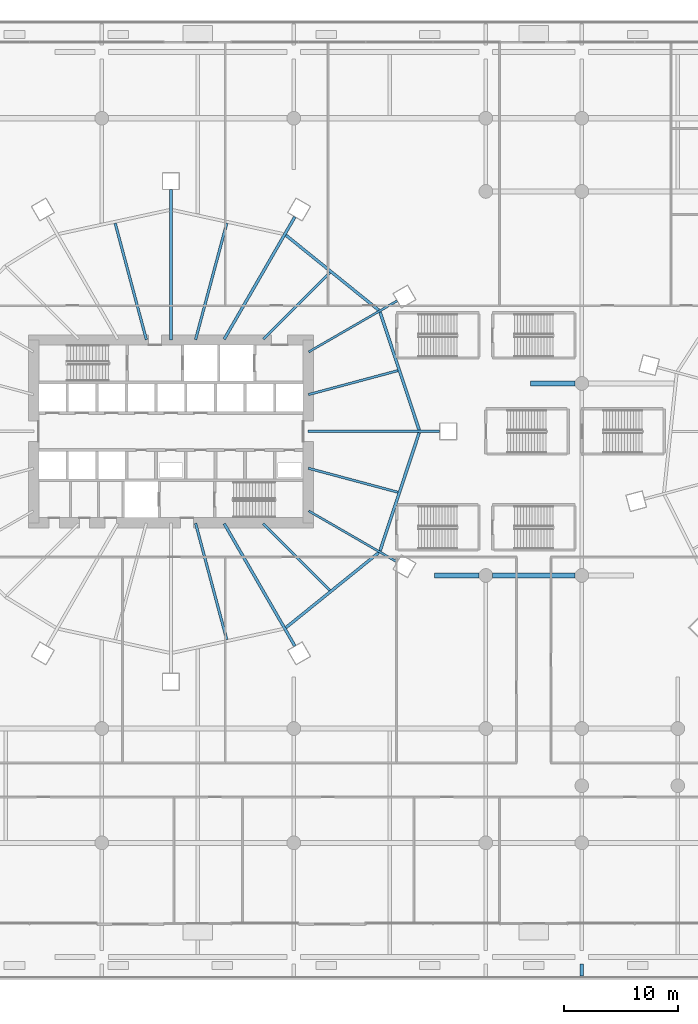
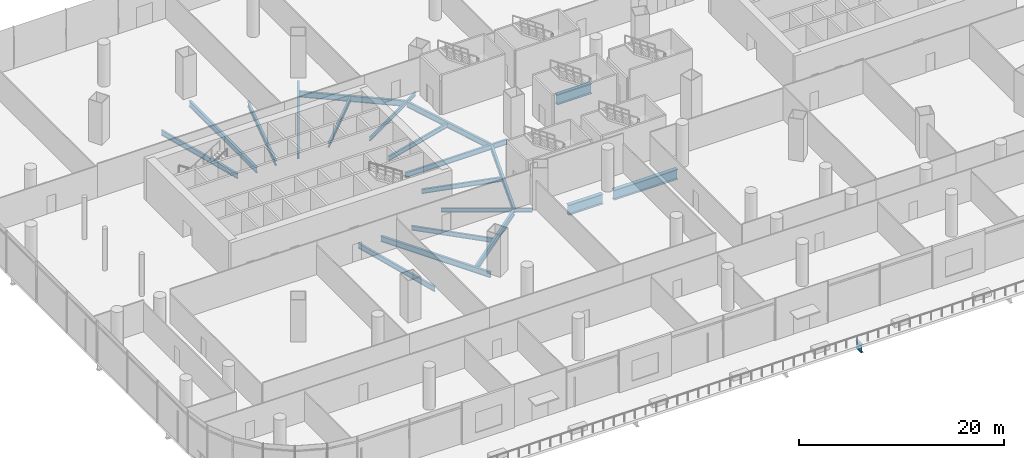
# One storey, part 12 of 51: 21 beams.
"""IFC4 building model written with IfcOpenShell, lengths in metres."""

from ifc_helpers import new_model, si_unit, direction, frame, origin, origin_2d, place, context, subcontext, project, spatial, i_section, extrude, material, material_profile, profile_set, type_object, element, save


model = new_model("IFC4")

# Units and contexts
model_context = context("Model", 3, precision=1e-05, world=origin(), true_north=direction((0.0, 1.0)))
body_context = subcontext(model_context, "Body", "Model", "MODEL_VIEW")
ifc_project = project(units=[si_unit("LENGTHUNIT", "METRE"), si_unit("AREAUNIT", "SQUARE_METRE"), si_unit("VOLUMEUNIT", "CUBIC_METRE"), si_unit("PLANEANGLEUNIT", "RADIAN"), si_unit("MASSUNIT", "GRAM", prefix="KILO")], contexts=[model_context])

# Site, building, storey
site_placement = place(None, origin())
site = spatial("IfcSite", under=ifc_project, at=site_placement, CompositionType="ELEMENT")
building_placement = place(site_placement, origin())
building = spatial("IfcBuilding", under=site, at=building_placement, Name="Rimbun Link Towers", CompositionType="ELEMENT")
storey_placement = place(building_placement, frame((0.0, 0.0, 7.0)))
storey = spatial("IfcBuildingStorey", under=building, at=storey_placement, Name="L01", CompositionType="ELEMENT", Elevation=7.0)

# Beams
ifc_material_1 = material(Name="Steel S355J2", Category="steel")
ifc_material_profile_1 = material_profile(ifc_material_1, i_section(OverallWidth=0.449951171875, OverallDepth=1.199951171875, WebThickness=0.030029296875, FlangeThickness=0.044921875, at=origin_2d()), Name="PG 1200x450x30/45")
ifc_profile_set_1 = profile_set([ifc_material_profile_1], Name="Steel S355J2")
beam_type_1 = type_object("IfcBeamType", Name="PG 1200x450x30/45", PredefinedType="BEAM", material=ifc_profile_set_1)
beam_1_placement = place(storey_placement, frame((-8.699951171875, -12.60009765625, -0.89990234375), z_axis=(1.0, 0.0, 0.0), x_axis=(0.0, 1.0, 0.0)))
element("IfcBeam", 1, at=beam_1_placement, inside=storey, type_object=beam_type_1, Name="Grid beam L01 -12.6", PredefinedType="BEAM", context=body_context, shape_type="SweptSolid", body=[
    extrude(i_section(OverallWidth=0.449951171875, OverallDepth=1.199951171875, WebThickness=0.030029296875, FlangeThickness=0.044921875, at=origin_2d()), origin(), (0.0, 0.0, 1.0), 3.89990234375),
])
beam_2_placement = place(storey_placement, frame((-3.60009765625, -12.60009765625, -0.89990234375), z_axis=(1.0, 0.0, 0.0), x_axis=(0.0, 1.0, 0.0)))
element("IfcBeam", 2, at=beam_2_placement, inside=storey, type_object=beam_type_1, Name="Grid beam L01 -12.6", PredefinedType="BEAM", context=body_context, shape_type="SweptSolid", body=[
    extrude(i_section(OverallWidth=0.449951171875, OverallDepth=1.199951171875, WebThickness=0.030029296875, FlangeThickness=0.044921875, at=origin_2d()), origin(), (0.0, 0.0, 1.0), 7.2001953125),
])
beam_3_placement = place(storey_placement, frame((-0.300048828125, 4.199951171875, -0.89990234375), z_axis=(1.0, 0.0, 0.0), x_axis=(0.0, 1.0, 0.0)))
element("IfcBeam", 3, at=beam_3_placement, inside=storey, type_object=beam_type_1, Name="Grid beam L01 +4.2", PredefinedType="BEAM", context=body_context, shape_type="SweptSolid", body=[
    extrude(i_section(OverallWidth=0.449951171875, OverallDepth=1.199951171875, WebThickness=0.030029296875, FlangeThickness=0.044921875, at=origin_2d()), origin(), (0.0, 0.0, 1.0), 3.900146484375),
])
ifc_material_2 = material(Name="Steel S355J2", Category="steel")
ifc_material_profile_2 = material_profile(ifc_material_2, i_section(OverallWidth=0.18994140625, OverallDepth=0.453369140625, WebThickness=0.008544921875, FlangeThickness=0.0126953125, at=origin_2d()), Name="UB 457x191x67")
ifc_profile_set_2 = profile_set([ifc_material_profile_2], Name="Steel S355J2")
beam_type_2 = type_object("IfcBeamType", Name="UB 457x191x67", PredefinedType="BEAM", material=ifc_profile_set_2)
for number, where, z_axis, x_axis, name in (
    (4, (-19.70166015625, 6.9560546875, -0.526611328125), (0.866022633403, 0.500004798411, 0.0), (-0.500004798411, 0.866022633403, 0.0), "Radial beam T1 L01 02"),
    (5, (-19.70166015625, -6.9560546875, -0.526611328125), (0.866022633403, -0.500004798411, 0.0), (0.500004798411, 0.866022633403, 0.0), "Radial beam T1 L01 22"),
):
    element("IfcBeam", number, at=place(storey_placement, frame(where, z_axis=z_axis, x_axis=x_axis)), inside=storey, type_object=beam_type_2, Name=name, PredefinedType="BEAM", context=body_context, shape_type="SweptSolid", body=[
        extrude(i_section(OverallWidth=0.18994140625, OverallDepth=0.453369140625, WebThickness=0.008544921875, FlangeThickness=0.0126953125, at=origin_2d()), origin(), (0.0, 0.0, 1.0), 8.93212890625),
    ])
ifc_material_3 = material(Name="Steel S355J2", Category="steel")
ifc_material_profile_3 = material_profile(ifc_material_3, i_section(OverallWidth=0.209228515625, OverallDepth=0.533203125, WebThickness=0.010009765625, FlangeThickness=0.015625, at=origin_2d()), Name="UB 533x210x92")
ifc_profile_set_3 = profile_set([ifc_material_profile_3], Name="Steel S355J2")
beam_type_3 = type_object("IfcBeamType", Name="UB 533x210x92", PredefinedType="BEAM", material=ifc_profile_set_3)
beam_4_placement = place(storey_placement, frame((-19.721923828125, 3.222900390625, -0.56640625), z_axis=(0.965927890386, 0.258811341663, 0.0), x_axis=(-0.258811341663, 0.965927890386, 0.0)))
element("IfcBeam", 6, at=beam_4_placement, inside=storey, type_object=beam_type_3, Name="Radial beam T1 L01 01", PredefinedType="BEAM", context=body_context, shape_type="SweptSolid", body=[
    extrude(i_section(OverallWidth=0.209228515625, OverallDepth=0.533203125, WebThickness=0.010009765625, FlangeThickness=0.015625, at=origin_2d()), origin(), (0.0, 0.0, 1.0), 8.10791015625),
])
for number, where, z_axis, x_axis, name in (
    (7, (-23.67529296875, 8.07470703125, -0.56640625), (0.707106781187, 0.707106781187, 0.0), (-0.707106781187, 0.707106781187, 0.0), "Radial beam T1 L01 03"),
    (8, (-23.67529296875, -8.07470703125, -0.56640625), (0.707106781187, -0.707106781187, 0.0), (0.707106781187, 0.707106781187, 0.0), "Radial beam T1 L01 21"),
):
    element("IfcBeam", number, at=place(storey_placement, frame(where, z_axis=z_axis, x_axis=x_axis)), inside=storey, type_object=beam_type_3, Name=name, PredefinedType="BEAM", context=body_context, shape_type="SweptSolid", body=[
        extrude(i_section(OverallWidth=0.209228515625, OverallDepth=0.533203125, WebThickness=0.010009765625, FlangeThickness=0.015625, at=origin_2d()), origin(), (0.0, 0.0, 1.0), 8.239501953125),
    ])
beam_5_placement = place(storey_placement, frame((-19.721923828125, -3.222900390625, -0.56640625), z_axis=(0.965927890386, -0.258811341663, 0.0), x_axis=(0.258811341663, 0.965927890386, 0.0)))
element("IfcBeam", 9, at=beam_5_placement, inside=storey, type_object=beam_type_3, Name="Radial beam T1 L01 23", PredefinedType="BEAM", context=body_context, shape_type="SweptSolid", body=[
    extrude(i_section(OverallWidth=0.209228515625, OverallDepth=0.533203125, WebThickness=0.010009765625, FlangeThickness=0.015625, at=origin_2d()), origin(), (0.0, 0.0, 1.0), 8.10791015625),
])
ifc_material_4 = material(Name="Steel S355J2", Category="steel")
ifc_material_profile_4 = material_profile(ifc_material_4, i_section(OverallWidth=0.2275390625, OverallDepth=0.6025390625, WebThickness=0.010498046875, FlangeThickness=0.014892578125, at=origin_2d()), Name="UB 610x229x101")
ifc_profile_set_4 = profile_set([ifc_material_profile_4], Name="Steel S355J2")
beam_type_4 = type_object("IfcBeamType", Name="UB 610x229x101", PredefinedType="BEAM", material=ifc_profile_set_4)
beam_6_placement = place(storey_placement, frame((-19.7490234375, 0.0, -0.601318359375), z_axis=(1.0, 0.0, 0.0), x_axis=(0.0, 1.0, 0.0)))
element("IfcBeam", 10, at=beam_6_placement, inside=storey, type_object=beam_type_4, Name="Radial beam T1 L01 00", PredefinedType="BEAM", context=body_context, shape_type="SweptSolid", body=[
    extrude(i_section(OverallWidth=0.2275390625, OverallDepth=0.6025390625, WebThickness=0.010498046875, FlangeThickness=0.014892578125, at=origin_2d()), origin(), (0.0, 0.0, 1.0), 11.51171875),
])
for number, where, z_axis, x_axis, name in (
    (11, (-29.598388671875, 8.030517578125, -0.601318359375), (0.258844096103, 0.965919113545, 0.0), (-0.965919113545, 0.258844096103, 0.0), "Radial beam T1 L01 05"),
    (12, (-33.901611328125, 8.030517578125, -0.601318359375), (-0.258844096103, 0.965919113545, 0.0), (-0.965919113545, -0.258844096103, 0.0), "Radial beam T1 L01 07"),
    (13, (-29.598388671875, -8.030517578125, -0.601318359375), (0.258844096103, -0.965919113545, 0.0), (0.965919113545, 0.258844096103, 0.0), "Radial beam T1 L01 19"),
):
    element("IfcBeam", number, at=place(storey_placement, frame(where, z_axis=z_axis, x_axis=x_axis)), inside=storey, type_object=beam_type_4, Name=name, PredefinedType="BEAM", context=body_context, shape_type="SweptSolid", body=[
        extrude(i_section(OverallWidth=0.2275390625, OverallDepth=0.6025390625, WebThickness=0.010498046875, FlangeThickness=0.014892578125, at=origin_2d()), origin(), (0.0, 0.0, 1.0), 10.544921875),
    ])
ifc_material_5 = material(Name="Steel S355J2", Category="steel")
ifc_material_profile_5 = material_profile(ifc_material_5, i_section(OverallWidth=0.253662109375, OverallDepth=0.68359375, WebThickness=0.012451171875, FlangeThickness=0.01904296875, at=origin_2d()), Name="UB 686x254x140")
ifc_profile_set_5 = profile_set([ifc_material_profile_5], Name="Steel S355J2")
beam_type_5 = type_object("IfcBeamType", Name="UB 686x254x140", PredefinedType="BEAM", material=ifc_profile_set_5)
beam_7_placement = place(storey_placement, frame((-27.093994140625, 8.064208984375, -0.641845703125), z_axis=(0.499992594562, 0.866029679274, 0.0), x_axis=(-0.866029679274, 0.499992594562, 0.0)))
element("IfcBeam", 14, at=beam_7_placement, inside=storey, type_object=beam_type_5, Name="Radial beam T1 L01 04", PredefinedType="BEAM", context=body_context, shape_type="SweptSolid", body=[
    extrude(i_section(OverallWidth=0.253662109375, OverallDepth=0.68359375, WebThickness=0.012451171875, FlangeThickness=0.01904296875, at=origin_2d()), origin(), (0.0, 0.0, 1.0), 12.360595703125),
])
beam_8_placement = place(storey_placement, frame((-31.75, 8.0009765625, -0.641845703125), z_axis=(0.0, 1.0, 0.0), x_axis=(-1.0, 0.0, 0.0)))
element("IfcBeam", 15, at=beam_8_placement, inside=storey, type_object=beam_type_5, Name="Radial beam T1 L01 06", PredefinedType="BEAM", context=body_context, shape_type="SweptSolid", body=[
    extrude(i_section(OverallWidth=0.253662109375, OverallDepth=0.68359375, WebThickness=0.012451171875, FlangeThickness=0.01904296875, at=origin_2d()), origin(), (0.0, 0.0, 1.0), 13.1533203125),
])
beam_9_placement = place(storey_placement, frame((-27.093994140625, -8.064208984375, -0.641845703125), z_axis=(0.499992594562, -0.866029679274, 0.0), x_axis=(0.866029679274, 0.499992594562, 0.0)))
element("IfcBeam", 16, at=beam_9_placement, inside=storey, type_object=beam_type_5, Name="Radial beam T1 L01 20", PredefinedType="BEAM", context=body_context, shape_type="SweptSolid", body=[
    extrude(i_section(OverallWidth=0.253662109375, OverallDepth=0.68359375, WebThickness=0.012451171875, FlangeThickness=0.01904296875, at=origin_2d()), origin(), (0.0, 0.0, 1.0), 12.360595703125),
])
beam_10_placement = place(storey_placement, frame((-10.02880859375, 0.11474609375, -0.641845703125), z_axis=(-0.314841882336, 0.949144135064, 0.0), x_axis=(-0.949144135064, -0.314841882336, 0.0)))
element("IfcBeam", 17, at=beam_10_placement, inside=storey, type_object=beam_type_5, Name="Edge beam T1 L01 00-02", PredefinedType="BEAM", context=body_context, shape_type="SweptSolid", body=[
    extrude(i_section(OverallWidth=0.253662109375, OverallDepth=0.68359375, WebThickness=0.012451171875, FlangeThickness=0.01904296875, at=origin_2d()), origin(), (0.0, 0.0, 1.0), 10.889404296875),
])
for number, where, z_axis, x_axis, name in (
    (18, (-13.568115234375, 10.60791015625, -0.641845703125), (-0.778006680284, 0.628256003102, 0.0), (-0.628256003102, -0.778006680284, 0.0), "Edge beam T1 L01 02-04"),
    (19, (-21.69091796875, -17.167236328125, -0.641845703125), (0.778006680284, 0.628256003102, 0.0), (-0.628256003102, 0.778006680284, 0.0), "Edge beam T1 L01 20-22"),
):
    element("IfcBeam", number, at=place(storey_placement, frame(where, z_axis=z_axis, x_axis=x_axis)), inside=storey, type_object=beam_type_5, Name=name, PredefinedType="BEAM", context=body_context, shape_type="SweptSolid", body=[
        extrude(i_section(OverallWidth=0.253662109375, OverallDepth=0.68359375, WebThickness=0.012451171875, FlangeThickness=0.01904296875, at=origin_2d()), origin(), (0.0, 0.0, 1.0), 10.4404296875),
    ])
beam_11_placement = place(storey_placement, frame((-13.457275390625, -10.450439453125, -0.641845703125), z_axis=(0.314841882336, 0.949144135064, 0.0), x_axis=(-0.949144135064, 0.314841882336, 0.0)))
element("IfcBeam", 20, at=beam_11_placement, inside=storey, type_object=beam_type_5, Name="Edge beam T1 L01 22-00", PredefinedType="BEAM", context=body_context, shape_type="SweptSolid", body=[
    extrude(i_section(OverallWidth=0.253662109375, OverallDepth=0.68359375, WebThickness=0.012451171875, FlangeThickness=0.01904296875, at=origin_2d()), origin(), (0.0, 0.0, 1.0), 10.889404296875),
])
ifc_material_6 = material(Name="Steel S355J2", Category="steel")
ifc_material_profile_6 = material_profile(ifc_material_6, i_section(OverallWidth=0.305419921875, OverallDepth=0.91845703125, WebThickness=0.017333984375, FlangeThickness=0.02783203125, at=origin_2d()), Name="UB 914x305x253")
ifc_profile_set_6 = profile_set([ifc_material_profile_6], Name="Steel S355J2")
beam_type_6 = type_object("IfcBeamType", Name="UB 914x305x253", PredefinedType="BEAM", material=ifc_profile_set_6)
beam_12_placement = place(storey_placement, frame((4.199951171875, -47.649169921875, -0.75927734375), z_axis=(0.0, 1.0, 0.0), x_axis=(-1.0, 0.0, 0.0)))
element("IfcBeam", 21, at=beam_12_placement, inside=storey, type_object=beam_type_6, Name="Grid beam L01 +4.2", PredefinedType="BEAM", context=body_context, shape_type="SweptSolid", body=[
    extrude(i_section(OverallWidth=0.305419921875, OverallDepth=0.91845703125, WebThickness=0.017333984375, FlangeThickness=0.02783203125, at=origin_2d()), origin(), (0.0, 0.0, 1.0), 1.049072265625),
])

save(model, "model.ifc")
